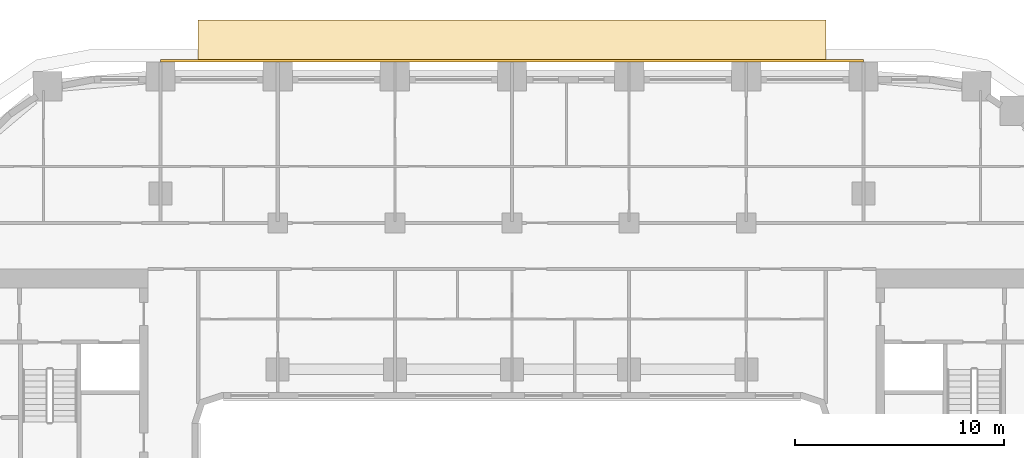
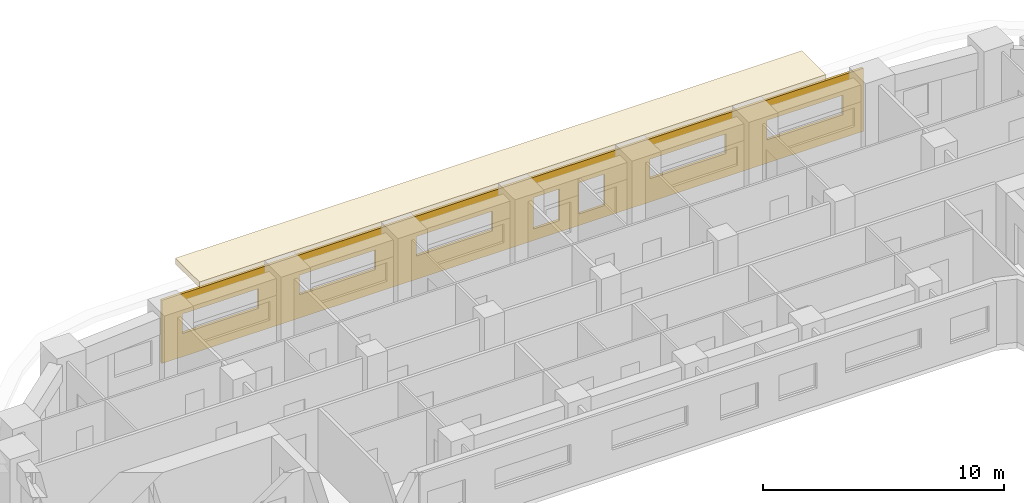
# One storey, part 21 of 22: 2 coverings.
"""IFC4 building model written with IfcOpenShell, lengths in metres."""

from ifc_helpers import new_model, si_unit, direction, frame, origin, place, context, subcontext, project, spatial, polyline, outline, extrude, material, layer, layer_set, type_object, element, save


model = new_model("IFC4")

# Units and contexts
model_context = context("Model", 3, precision=1e-05, world=origin(), true_north=direction((0.0, 1.0)))
body_context = subcontext(model_context, "Body", "Model", "MODEL_VIEW")
ifc_project = project(units=[si_unit("LENGTHUNIT", "METRE"), si_unit("AREAUNIT", "SQUARE_METRE"), si_unit("VOLUMEUNIT", "CUBIC_METRE"), si_unit("PLANEANGLEUNIT", "RADIAN"), si_unit("MASSUNIT", "GRAM", prefix="KILO")], contexts=[model_context])

# Site, building, storey
site_placement = place(None, origin())
site = spatial("IfcSite", under=ifc_project, at=site_placement, CompositionType="ELEMENT")
building_placement = place(site_placement, origin())
building = spatial("IfcBuilding", under=site, at=building_placement, Name="Kiln Ring Residences", CompositionType="ELEMENT")
storey_placement = place(building_placement, frame((0.0, 0.0, 58.5)))
storey = spatial("IfcBuildingStorey", under=building, at=storey_placement, Name="L14", CompositionType="ELEMENT", Elevation=58.5)

# Coverings
ifc_material_1 = material(Name="Brick masonry, dark clay brick", Category="masonry")
ifc_layer_1 = layer(ifc_material_1, 0.1201171875)
ifc_layer_set_1 = layer_set([ifc_layer_1], Name="RAINSCREEN PANEL 120")
covering_type_1 = type_object("IfcCoveringType", Name="RAINSCREEN PANEL 120", PredefinedType="CLADDING", material=ifc_layer_set_1)
covering_1_placement = place(storey_placement, frame((16.800048828125, 23.159912109375, 0.0), z_axis=(0.0, 0.0, 1.0), x_axis=(-1.0, 0.0, 0.0)))
element("IfcCovering", 1, at=covering_1_placement, inside=storey, type_object=covering_type_1, Name="RAINSCREEN L14", PredefinedType="CLADDING", context=body_context, shape_type="SweptSolid", body=[
    extrude(outline(polyline([(0.0, 0.0), (33.60009765625, 0.0), (33.60009765625, 3.199951171875), (0.0, 3.199951171875), (0.0, 0.0)]), holes=[polyline([(13.632568359375, 0.580078125), (13.632568359375, 2.169921875), (12.392578125, 2.169921875), (12.392578125, 0.580078125), (13.632568359375, 0.580078125)]), polyline([(14.5673828125, 0.580078125), (15.8076171875, 0.580078125), (15.8076171875, 2.169921875), (14.5673828125, 2.169921875), (14.5673828125, 0.580078125)]), polyline([(0.97998046875, 1.179931640625), (4.6201171875, 1.179931640625), (4.6201171875, 2.169921875), (0.97998046875, 2.169921875), (0.97998046875, 1.179931640625)]), polyline([(6.580078125, 1.179931640625), (10.219970703125, 1.179931640625), (10.219970703125, 2.169921875), (6.580078125, 2.169921875), (6.580078125, 1.179931640625)]), polyline([(17.780029296875, 1.179931640625), (21.419921875, 1.179931640625), (21.419921875, 2.169921875), (17.780029296875, 2.169921875), (17.780029296875, 1.179931640625)]), polyline([(23.3798828125, 1.179931640625), (27.02001953125, 1.179931640625), (27.02001953125, 2.169921875), (23.3798828125, 2.169921875), (23.3798828125, 1.179931640625)]), polyline([(28.97998046875, 1.179931640625), (32.6201171875, 1.179931640625), (32.6201171875, 2.169921875), (28.97998046875, 2.169921875), (28.97998046875, 1.179931640625)])]), frame((0.0, 0.06005859375, 0.0), z_axis=(0.0, -1.0, 0.0), x_axis=(1.0, 0.0, 0.0)), (0.0, 0.0, 1.0), 0.1201171875),
])
ifc_material_2 = material(Name="Black powder-coated steel", Category="steel")
ifc_layer_2 = layer(ifc_material_2, 0.300048828125)
ifc_layer_set_2 = layer_set([ifc_layer_2], Name="SUNSHADE BAND 2000")
covering_type_2 = type_object("IfcCoveringType", Name="SUNSHADE BAND 2000", PredefinedType="CLADDING", material=ifc_layer_set_2)
covering_2_placement = place(storey_placement, frame((0.0, 0.0, 3.199951171875)))
element("IfcCovering", 2, at=covering_2_placement, inside=storey, type_object=covering_type_2, Name="SUNSHADE BAND L14", PredefinedType="CLADDING", context=body_context, shape_type="SweptSolid", body=[
    extrude(outline(polyline([(15.0, 25.10009765625), (-15.0, 25.10009765625), (-15.0, 23.10009765625), (15.0, 23.10009765625), (15.0, 25.10009765625)])), origin(), (0.0, 0.0, 1.0), 0.300048828125),
])

save(model, "model.ifc")
